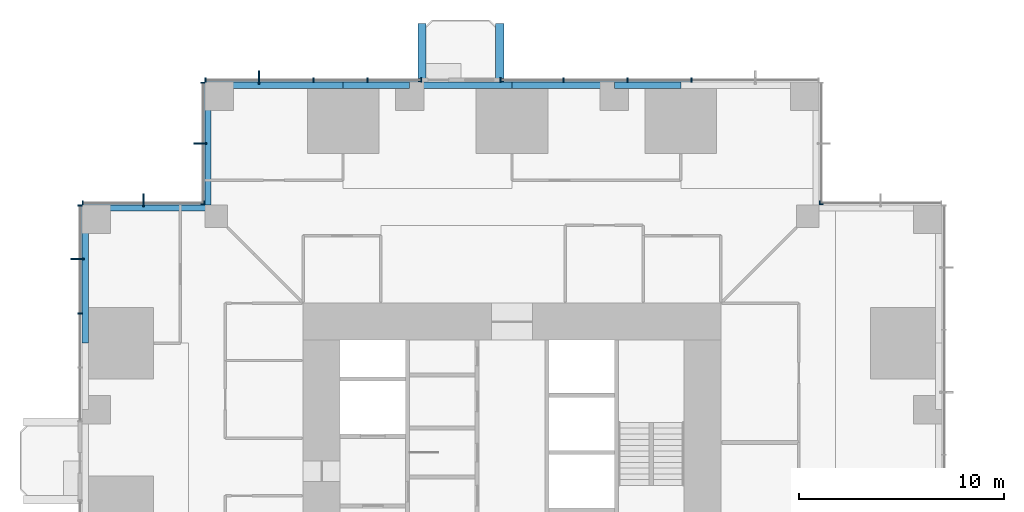
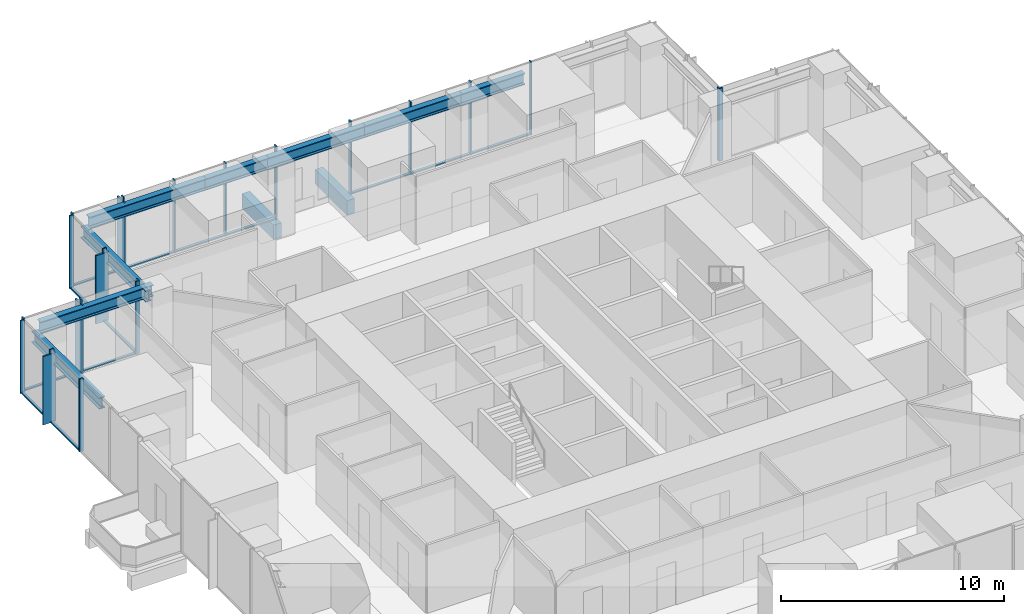
# One storey, part 5 of 15: 37 members, 10 beams, 7 elements without a shape of their own.
"""IFC4 building model written with IfcOpenShell, lengths in metres."""

from ifc_helpers import new_model, si_unit, direction, frame, origin, origin_2d, place, context, subcontext, project, spatial, rectangle, i_section, extrude, material, material_profile, profile_set, type_object, element, aggregate, save


model = new_model("IFC4")

# Units and contexts
model_context = context("Model", 3, precision=1e-05, world=origin(), true_north=direction((0.0, 1.0)))
body_context = subcontext(model_context, "Body", "Model", "MODEL_VIEW")
ifc_project = project(units=[si_unit("LENGTHUNIT", "METRE"), si_unit("AREAUNIT", "SQUARE_METRE"), si_unit("VOLUMEUNIT", "CUBIC_METRE"), si_unit("PLANEANGLEUNIT", "RADIAN"), si_unit("MASSUNIT", "GRAM", prefix="KILO")], contexts=[model_context])

# Site, building, storey
site_placement = place(None, origin())
site = spatial("IfcSite", under=ifc_project, at=site_placement, CompositionType="ELEMENT")
building_placement = place(site_placement, origin())
building = spatial("IfcBuilding", under=site, at=building_placement, Name="Svetlomir Tower", CompositionType="ELEMENT")
storey_placement = place(building_placement, frame((0.0, 0.0, 74.5)))
storey = spatial("IfcBuildingStorey", under=building, at=storey_placement, Name="L17", CompositionType="ELEMENT", Elevation=74.5)

# Beams
ifc_material_1 = material(Name="Concrete C60/75", Category="concrete")
ifc_material_profile_1 = material_profile(ifc_material_1, rectangle(XDim=0.39990234375, YDim=0.800048828125, at=origin_2d()), Name="RC 400x800")
ifc_profile_set_1 = profile_set([ifc_material_profile_1], Name="Concrete C60/75")
beam_type_1 = type_object("IfcBeamType", Name="BALCONY RIB RC 400x800", PredefinedType="BEAM", material=ifc_profile_set_1)
for number, where, z_axis, x_axis, name in (
    (1, (16.60009765625, 42.0, -0.64990234375), (0.0, 1.0, 0.0), (-1.0, 0.0, 0.0), "Balcony rib N 1 L17"),
    (2, (20.39990234375, 42.0, -0.64990234375), (0.0, 1.0, 0.0), (-1.0, 0.0, 0.0), "Balcony rib N 2 L17"),
):
    element("IfcBeam", number, at=place(storey_placement, frame(where, z_axis=z_axis, x_axis=x_axis)), inside=storey, type_object=beam_type_1, Name=name, PredefinedType="BEAM", context=body_context, shape_type="SweptSolid", body=[
        extrude(rectangle(XDim=0.39990234375, YDim=0.800048828125, at=origin_2d()), origin(), (0.0, 0.0, 1.0), 2.85009765625),
    ])

# Curtain wall, member
ifc_material_2 = material(Name="Bronze anodised aluminium curtain wall", Category="aluminium")
curtain_wall_type = type_object("IfcCurtainWallType", Name="CURTAIN WALL CW1 TOWER OFFICE", PredefinedType="NOTDEFINED", material=ifc_material_2)
curtain_wall_1_placement = place(storey_placement, origin())
curtain_wall_1 = element("IfcCurtainWall", 3, at=curtain_wall_1_placement, inside=storey, type_object=curtain_wall_type, Name="Curtain wall CW1 L17", PredefinedType="NOTDEFINED")
ifc_material_3 = material(Name="Bronze anodised aluminium", Category="aluminium")
ifc_material_profile_2 = material_profile(ifc_material_3, rectangle(XDim=0.080078125, YDim=0.64990234375, at=origin_2d()), Name="FIN 80x650")
ifc_profile_set_2 = profile_set([ifc_material_profile_2], Name="Bronze anodised aluminium 6063-T6")
member_type_1 = type_object("IfcMemberType", Name="BRONZE FIN 80x650", PredefinedType="USERDEFINED", material=ifc_profile_set_2)
member_1_placement = place(storey_placement, frame((8.64990234375, 42.22509765625, 0.0), z_axis=(0.0, 0.0, 1.0), x_axis=(1.0, 0.0, 0.0)))
member_1 = element("IfcMember", 4, at=member_1_placement, type_object=member_type_1, Name="Bronze fin L17", ObjectType="FIN", PredefinedType="USERDEFINED", context=body_context, shape_type="SweptSolid", body=[
    extrude(rectangle(XDim=0.080078125, YDim=0.64990234375, at=origin_2d()), origin(), (0.0, 0.0, 1.0), 3.75),
])

curtain_wall_2_placement = place(storey_placement, origin())
curtain_wall_2 = element("IfcCurtainWall", 5, at=curtain_wall_2_placement, inside=storey, type_object=curtain_wall_type, Name="Curtain wall CW1 L17", PredefinedType="NOTDEFINED")
member_2_placement = place(storey_placement, frame((5.77490234375, 39.0, 0.0), z_axis=(0.0, 0.0, 1.0), x_axis=(0.0, 1.0, 0.0)))
member_2 = element("IfcMember", 6, at=member_2_placement, type_object=member_type_1, Name="Bronze fin L17", ObjectType="FIN", PredefinedType="USERDEFINED", context=body_context, shape_type="SweptSolid", body=[
    extrude(rectangle(XDim=0.080078125, YDim=0.64990234375, at=origin_2d()), origin(), (0.0, 0.0, 1.0), 3.75),
])

curtain_wall_3_placement = place(storey_placement, origin())
curtain_wall_3 = element("IfcCurtainWall", 7, at=curtain_wall_3_placement, inside=storey, type_object=curtain_wall_type, Name="Curtain wall CW1 L17", PredefinedType="NOTDEFINED")
member_3_placement = place(storey_placement, frame((3.0, 36.22509765625, 0.0), z_axis=(0.0, 0.0, 1.0), x_axis=(1.0, 0.0, 0.0)))
member_3 = element("IfcMember", 8, at=member_3_placement, type_object=member_type_1, Name="Bronze fin L17", ObjectType="FIN", PredefinedType="USERDEFINED", context=body_context, shape_type="SweptSolid", body=[
    extrude(rectangle(XDim=0.080078125, YDim=0.64990234375, at=origin_2d()), origin(), (0.0, 0.0, 1.0), 3.75),
])

curtain_wall_4_placement = place(storey_placement, origin())
curtain_wall_4 = element("IfcCurtainWall", 9, at=curtain_wall_4_placement, inside=storey, type_object=curtain_wall_type, Name="Curtain wall CW1 L17", PredefinedType="NOTDEFINED")
member_4_placement = place(storey_placement, frame((-0.22509765625, 33.35009765625, 0.0), z_axis=(0.0, 0.0, 1.0), x_axis=(0.0, 1.0, 0.0)))
member_4 = element("IfcMember", 10, at=member_4_placement, type_object=member_type_1, Name="Bronze fin L17", ObjectType="FIN", PredefinedType="USERDEFINED", context=body_context, shape_type="SweptSolid", body=[
    extrude(rectangle(XDim=0.080078125, YDim=0.64990234375, at=origin_2d()), origin(), (0.0, 0.0, 1.0), 3.75),
])

curtain_wall_5_placement = place(storey_placement, origin())
curtain_wall_5 = element("IfcCurtainWall", 11, at=curtain_wall_5_placement, inside=storey, type_object=curtain_wall_type, Name="Curtain wall CW1 L17", PredefinedType="NOTDEFINED")
ifc_material_4 = material(Name="Bronze anodised aluminium", Category="aluminium")
ifc_material_profile_3 = material_profile(ifc_material_4, rectangle(XDim=0.06494140625, YDim=0.199951171875, at=origin_2d()), Name="AL 65x200")
ifc_profile_set_3 = profile_set([ifc_material_profile_3], Name="Bronze anodised aluminium 6063-T6")
member_type_2 = type_object("IfcMemberType", Name="CW1 MULLION 65x200", PredefinedType="MULLION", material=ifc_profile_set_3)
member_5_placement = place(storey_placement, frame((36.032470703125, 36.10009765625, 0.0), z_axis=(0.0, 0.0, 1.0), x_axis=(-1.0, 0.0, 0.0)))
member_5 = element("IfcMember", 12, at=member_5_placement, type_object=member_type_2, Name="CW1 mullion 3", PredefinedType="MULLION", context=body_context, shape_type="SweptSolid", body=[
    extrude(rectangle(XDim=0.06494140625, YDim=0.199951171875, at=origin_2d()), origin(), (0.0, 0.0, 1.0), 4.0),
])
aggregate(curtain_wall_5, [member_5])

curtain_wall_6_placement = place(storey_placement, origin())
curtain_wall_6 = element("IfcCurtainWall", 13, at=curtain_wall_6_placement, inside=storey, type_object=curtain_wall_type, Name="Curtain wall CW1 L17", PredefinedType="NOTDEFINED")
member_6_placement = place(storey_placement, frame((36.10009765625, 36.032470703125, 0.0), z_axis=(0.0, 0.0, 1.0), x_axis=(0.0, 1.0, 0.0)))
member_6 = element("IfcMember", 14, at=member_6_placement, type_object=member_type_2, Name="CW1 mullion 1", PredefinedType="MULLION", context=body_context, shape_type="SweptSolid", body=[
    extrude(rectangle(XDim=0.06494140625, YDim=0.199951171875, at=origin_2d()), origin(), (0.0, 0.0, 1.0), 4.0),
])
aggregate(curtain_wall_6, [member_6])

# Curtain wall, members
curtain_wall_7_placement = place(storey_placement, origin())
curtain_wall_7 = element("IfcCurtainWall", 15, at=curtain_wall_7_placement, inside=storey, type_object=curtain_wall_type, Name="Curtain wall CW1 L17", PredefinedType="NOTDEFINED")
member_7_placement = place(storey_placement, frame((29.760009765625, 42.10009765625, 0.0), z_axis=(0.0, 0.0, 1.0), x_axis=(-1.0, 0.0, 0.0)))
member_7 = element("IfcMember", 16, at=member_7_placement, type_object=member_type_2, Name="CW1 mullion 3", PredefinedType="MULLION", context=body_context, shape_type="SweptSolid", body=[
    extrude(rectangle(XDim=0.06494140625, YDim=0.199951171875, at=origin_2d()), origin(), (0.0, 0.0, 1.0), 4.0),
])
member_8_placement = place(storey_placement, frame((26.639892578125, 42.10009765625, 0.0), z_axis=(0.0, 0.0, 1.0), x_axis=(-1.0, 0.0, 0.0)))
member_8 = element("IfcMember", 17, at=member_8_placement, type_object=member_type_2, Name="CW1 mullion 4", PredefinedType="MULLION", context=body_context, shape_type="SweptSolid", body=[
    extrude(rectangle(XDim=0.06494140625, YDim=0.199951171875, at=origin_2d()), origin(), (0.0, 0.0, 1.0), 4.0),
])
member_9_placement = place(storey_placement, frame((23.52001953125, 42.10009765625, 0.0), z_axis=(0.0, 0.0, 1.0), x_axis=(-1.0, 0.0, 0.0)))
member_9 = element("IfcMember", 18, at=member_9_placement, type_object=member_type_2, Name="CW1 mullion 5", PredefinedType="MULLION", context=body_context, shape_type="SweptSolid", body=[
    extrude(rectangle(XDim=0.06494140625, YDim=0.199951171875, at=origin_2d()), origin(), (0.0, 0.0, 1.0), 4.0),
])
member_10_placement = place(storey_placement, frame((20.4326171875, 42.10009765625, 0.0), z_axis=(0.0, 0.0, 1.0), x_axis=(-1.0, 0.0, 0.0)))
member_10 = element("IfcMember", 19, at=member_10_placement, type_object=member_type_2, Name="CW1 mullion 6", PredefinedType="MULLION", context=body_context, shape_type="SweptSolid", body=[
    extrude(rectangle(XDim=0.06494140625, YDim=0.199951171875, at=origin_2d()), origin(), (0.0, 0.0, 1.0), 4.0),
])

# Member
member_11_placement = place(storey_placement, frame((16.5673828125, 42.10009765625, 0.0), z_axis=(0.0, 0.0, 1.0), x_axis=(-1.0, 0.0, 0.0)))
member_11 = element("IfcMember", 20, at=member_11_placement, type_object=member_type_2, Name="CW1 mullion 1", PredefinedType="MULLION", context=body_context, shape_type="SweptSolid", body=[
    extrude(rectangle(XDim=0.06494140625, YDim=0.199951171875, at=origin_2d()), origin(), (0.0, 0.0, 1.0), 4.0),
])

member_12_placement = place(storey_placement, frame((13.949951171875, 42.10009765625, 0.0), z_axis=(0.0, 0.0, 1.0), x_axis=(-1.0, 0.0, 0.0)))
member_12 = element("IfcMember", 21, at=member_12_placement, type_object=member_type_2, Name="CW1 mullion 2", PredefinedType="MULLION", context=body_context, shape_type="SweptSolid", body=[
    extrude(rectangle(XDim=0.06494140625, YDim=0.199951171875, at=origin_2d()), origin(), (0.0, 0.0, 1.0), 4.0),
])

member_13_placement = place(storey_placement, frame((11.300048828125, 42.10009765625, 0.0), z_axis=(0.0, 0.0, 1.0), x_axis=(-1.0, 0.0, 0.0)))
member_13 = element("IfcMember", 22, at=member_13_placement, type_object=member_type_2, Name="CW1 mullion 3", PredefinedType="MULLION", context=body_context, shape_type="SweptSolid", body=[
    extrude(rectangle(XDim=0.06494140625, YDim=0.199951171875, at=origin_2d()), origin(), (0.0, 0.0, 1.0), 4.0),
])

member_14_placement = place(storey_placement, frame((8.64990234375, 42.10009765625, 0.0), z_axis=(0.0, 0.0, 1.0), x_axis=(-1.0, 0.0, 0.0)))
member_14 = element("IfcMember", 23, at=member_14_placement, type_object=member_type_2, Name="CW1 mullion 4", PredefinedType="MULLION", context=body_context, shape_type="SweptSolid", body=[
    extrude(rectangle(XDim=0.06494140625, YDim=0.199951171875, at=origin_2d()), origin(), (0.0, 0.0, 1.0), 4.0),
])

member_15_placement = place(storey_placement, frame((6.032470703125, 42.10009765625, 0.0), z_axis=(0.0, 0.0, 1.0), x_axis=(-1.0, 0.0, 0.0)))
member_15 = element("IfcMember", 24, at=member_15_placement, type_object=member_type_2, Name="CW1 mullion 5", PredefinedType="MULLION", context=body_context, shape_type="SweptSolid", body=[
    extrude(rectangle(XDim=0.06494140625, YDim=0.199951171875, at=origin_2d()), origin(), (0.0, 0.0, 1.0), 4.0),
])

member_16_placement = place(storey_placement, frame((5.89990234375, 41.967529296875, 0.0), z_axis=(0.0, 0.0, 1.0), x_axis=(0.0, -1.0, 0.0)))
member_16 = element("IfcMember", 25, at=member_16_placement, type_object=member_type_2, Name="CW1 mullion 1", PredefinedType="MULLION", context=body_context, shape_type="SweptSolid", body=[
    extrude(rectangle(XDim=0.06494140625, YDim=0.199951171875, at=origin_2d()), origin(), (0.0, 0.0, 1.0), 4.0),
])

member_17_placement = place(storey_placement, frame((5.89990234375, 39.0, 0.0), z_axis=(0.0, 0.0, 1.0), x_axis=(0.0, -1.0, 0.0)))
member_17 = element("IfcMember", 26, at=member_17_placement, type_object=member_type_2, Name="CW1 mullion 2", PredefinedType="MULLION", context=body_context, shape_type="SweptSolid", body=[
    extrude(rectangle(XDim=0.06494140625, YDim=0.199951171875, at=origin_2d()), origin(), (0.0, 0.0, 1.0), 4.0),
])

member_18_placement = place(storey_placement, frame((5.89990234375, 36.032470703125, 0.0), z_axis=(0.0, 0.0, 1.0), x_axis=(0.0, -1.0, 0.0)))
member_18 = element("IfcMember", 27, at=member_18_placement, type_object=member_type_2, Name="CW1 mullion 3", PredefinedType="MULLION", context=body_context, shape_type="SweptSolid", body=[
    extrude(rectangle(XDim=0.06494140625, YDim=0.199951171875, at=origin_2d()), origin(), (0.0, 0.0, 1.0), 4.0),
])

member_19_placement = place(storey_placement, frame((5.967529296875, 36.10009765625, 0.0), z_axis=(0.0, 0.0, 1.0), x_axis=(-1.0, 0.0, 0.0)))
member_19 = element("IfcMember", 28, at=member_19_placement, type_object=member_type_2, Name="CW1 mullion 1", PredefinedType="MULLION", context=body_context, shape_type="SweptSolid", body=[
    extrude(rectangle(XDim=0.06494140625, YDim=0.199951171875, at=origin_2d()), origin(), (0.0, 0.0, 1.0), 4.0),
])

member_20_placement = place(storey_placement, frame((3.0, 36.10009765625, 0.0), z_axis=(0.0, 0.0, 1.0), x_axis=(-1.0, 0.0, 0.0)))
member_20 = element("IfcMember", 29, at=member_20_placement, type_object=member_type_2, Name="CW1 mullion 2", PredefinedType="MULLION", context=body_context, shape_type="SweptSolid", body=[
    extrude(rectangle(XDim=0.06494140625, YDim=0.199951171875, at=origin_2d()), origin(), (0.0, 0.0, 1.0), 4.0),
])

member_21_placement = place(storey_placement, frame((0.032470703125, 36.10009765625, 0.0), z_axis=(0.0, 0.0, 1.0), x_axis=(-1.0, 0.0, 0.0)))
member_21 = element("IfcMember", 30, at=member_21_placement, type_object=member_type_2, Name="CW1 mullion 3", PredefinedType="MULLION", context=body_context, shape_type="SweptSolid", body=[
    extrude(rectangle(XDim=0.06494140625, YDim=0.199951171875, at=origin_2d()), origin(), (0.0, 0.0, 1.0), 4.0),
])

member_22_placement = place(storey_placement, frame((-0.10009765625, 35.967529296875, 0.0), z_axis=(0.0, 0.0, 1.0), x_axis=(0.0, -1.0, 0.0)))
member_22 = element("IfcMember", 31, at=member_22_placement, type_object=member_type_2, Name="CW1 mullion 1", PredefinedType="MULLION", context=body_context, shape_type="SweptSolid", body=[
    extrude(rectangle(XDim=0.06494140625, YDim=0.199951171875, at=origin_2d()), origin(), (0.0, 0.0, 1.0), 4.0),
])

member_23_placement = place(storey_placement, frame((-0.10009765625, 33.35009765625, 0.0), z_axis=(0.0, 0.0, 1.0), x_axis=(0.0, -1.0, 0.0)))
member_23 = element("IfcMember", 32, at=member_23_placement, type_object=member_type_2, Name="CW1 mullion 2", PredefinedType="MULLION", context=body_context, shape_type="SweptSolid", body=[
    extrude(rectangle(XDim=0.06494140625, YDim=0.199951171875, at=origin_2d()), origin(), (0.0, 0.0, 1.0), 4.0),
])

member_24_placement = place(storey_placement, frame((-0.10009765625, 30.699951171875, 0.0), z_axis=(0.0, 0.0, 1.0), x_axis=(0.0, -1.0, 0.0)))
member_24 = element("IfcMember", 33, at=member_24_placement, type_object=member_type_2, Name="CW1 mullion 3", PredefinedType="MULLION", context=body_context, shape_type="SweptSolid", body=[
    extrude(rectangle(XDim=0.06494140625, YDim=0.199951171875, at=origin_2d()), origin(), (0.0, 0.0, 1.0), 4.0),
])

ifc_material_5 = material(Name="Bronze anodised aluminium", Category="aluminium")
ifc_material_profile_4 = material_profile(ifc_material_5, rectangle(XDim=0.139892578125, YDim=0.06494140625, at=origin_2d()), Name="AL 140x65")
ifc_profile_set_4 = profile_set([ifc_material_profile_4], Name="Bronze anodised aluminium 6063-T6")
member_type_3 = type_object("IfcMemberType", Name="CW1 TRANSOM 65x140", PredefinedType="USERDEFINED", material=ifc_profile_set_4)
member_25_placement = place(storey_placement, frame((29.7275390625, 42.10009765625, 0.032470703125), z_axis=(-1.0, 0.0, 0.0), x_axis=(0.0, -1.0, 0.0)))
member_25 = element("IfcMember", 34, at=member_25_placement, type_object=member_type_3, Name="CW1 transom 3.1", ObjectType="TRANSOM", PredefinedType="USERDEFINED", context=body_context, shape_type="SweptSolid", body=[
    extrude(rectangle(XDim=0.139892578125, YDim=0.06494140625, at=origin_2d()), origin(), (0.0, 0.0, 1.0), 3.054931640625),
])

member_26_placement = place(storey_placement, frame((26.607421875, 42.10009765625, 0.032470703125), z_axis=(-1.0, 0.0, 0.0), x_axis=(0.0, -1.0, 0.0)))
member_26 = element("IfcMember", 35, at=member_26_placement, type_object=member_type_3, Name="CW1 transom 4.1", ObjectType="TRANSOM", PredefinedType="USERDEFINED", context=body_context, shape_type="SweptSolid", body=[
    extrude(rectangle(XDim=0.139892578125, YDim=0.06494140625, at=origin_2d()), origin(), (0.0, 0.0, 1.0), 3.054931640625),
])

member_27_placement = place(storey_placement, frame((23.487548828125, 42.10009765625, 0.032470703125), z_axis=(-1.0, 0.0, 0.0), x_axis=(0.0, -1.0, 0.0)))
member_27 = element("IfcMember", 36, at=member_27_placement, type_object=member_type_3, Name="CW1 transom 5.1", ObjectType="TRANSOM", PredefinedType="USERDEFINED", context=body_context, shape_type="SweptSolid", body=[
    extrude(rectangle(XDim=0.139892578125, YDim=0.06494140625, at=origin_2d()), origin(), (0.0, 0.0, 1.0), 3.0224609375),
])

aggregate(curtain_wall_7, [member_7, member_8, member_9, member_10, member_25, member_26, member_27])

member_28_placement = place(storey_placement, frame((16.534912109375, 42.10009765625, 0.032470703125), z_axis=(-1.0, 0.0, 0.0), x_axis=(0.0, -1.0, 0.0)))
member_28 = element("IfcMember", 37, at=member_28_placement, type_object=member_type_3, Name="CW1 transom 1.1", ObjectType="TRANSOM", PredefinedType="USERDEFINED", context=body_context, shape_type="SweptSolid", body=[
    extrude(rectangle(XDim=0.139892578125, YDim=0.06494140625, at=origin_2d()), origin(), (0.0, 0.0, 1.0), 2.552490234375),
])

member_29_placement = place(storey_placement, frame((13.91748046875, 42.10009765625, 0.032470703125), z_axis=(-1.0, 0.0, 0.0), x_axis=(0.0, -1.0, 0.0)))
member_29 = element("IfcMember", 38, at=member_29_placement, type_object=member_type_3, Name="CW1 transom 2.1", ObjectType="TRANSOM", PredefinedType="USERDEFINED", context=body_context, shape_type="SweptSolid", body=[
    extrude(rectangle(XDim=0.139892578125, YDim=0.06494140625, at=origin_2d()), origin(), (0.0, 0.0, 1.0), 2.5849609375),
])

member_30_placement = place(storey_placement, frame((11.267578125, 42.10009765625, 0.032470703125), z_axis=(-1.0, 0.0, 0.0), x_axis=(0.0, -1.0, 0.0)))
member_30 = element("IfcMember", 39, at=member_30_placement, type_object=member_type_3, Name="CW1 transom 3.1", ObjectType="TRANSOM", PredefinedType="USERDEFINED", context=body_context, shape_type="SweptSolid", body=[
    extrude(rectangle(XDim=0.139892578125, YDim=0.06494140625, at=origin_2d()), origin(), (0.0, 0.0, 1.0), 2.5849609375),
])

member_31_placement = place(storey_placement, frame((8.617431640625, 42.10009765625, 0.032470703125), z_axis=(-1.0, 0.0, 0.0), x_axis=(0.0, -1.0, 0.0)))
member_31 = element("IfcMember", 40, at=member_31_placement, type_object=member_type_3, Name="CW1 transom 4.1", ObjectType="TRANSOM", PredefinedType="USERDEFINED", context=body_context, shape_type="SweptSolid", body=[
    extrude(rectangle(XDim=0.139892578125, YDim=0.06494140625, at=origin_2d()), origin(), (0.0, 0.0, 1.0), 2.552490234375),
])

aggregate(curtain_wall_1, [member_11, member_12, member_13, member_14, member_15, member_28, member_29, member_30, member_31, member_1])

member_32_placement = place(storey_placement, frame((5.89990234375, 41.93505859375, 0.032470703125), z_axis=(0.0, -1.0, 0.0), x_axis=(1.0, 0.0, 0.0)))
member_32 = element("IfcMember", 41, at=member_32_placement, type_object=member_type_3, Name="CW1 transom 1.1", ObjectType="TRANSOM", PredefinedType="USERDEFINED", context=body_context, shape_type="SweptSolid", body=[
    extrude(rectangle(XDim=0.139892578125, YDim=0.06494140625, at=origin_2d()), origin(), (0.0, 0.0, 1.0), 2.902587890625),
])

member_33_placement = place(storey_placement, frame((5.89990234375, 38.967529296875, 0.032470703125), z_axis=(0.0, -1.0, 0.0), x_axis=(1.0, 0.0, 0.0)))
member_33 = element("IfcMember", 42, at=member_33_placement, type_object=member_type_3, Name="CW1 transom 2.1", ObjectType="TRANSOM", PredefinedType="USERDEFINED", context=body_context, shape_type="SweptSolid", body=[
    extrude(rectangle(XDim=0.139892578125, YDim=0.06494140625, at=origin_2d()), origin(), (0.0, 0.0, 1.0), 2.902587890625),
])

aggregate(curtain_wall_2, [member_16, member_17, member_18, member_32, member_33, member_2])

member_34_placement = place(storey_placement, frame((5.93505859375, 36.10009765625, 0.032470703125), z_axis=(-1.0, 0.0, 0.0), x_axis=(0.0, -1.0, 0.0)))
member_34 = element("IfcMember", 43, at=member_34_placement, type_object=member_type_3, Name="CW1 transom 1.1", ObjectType="TRANSOM", PredefinedType="USERDEFINED", context=body_context, shape_type="SweptSolid", body=[
    extrude(rectangle(XDim=0.139892578125, YDim=0.06494140625, at=origin_2d()), origin(), (0.0, 0.0, 1.0), 2.902587890625),
])

member_35_placement = place(storey_placement, frame((2.967529296875, 36.10009765625, 0.032470703125), z_axis=(-1.0, 0.0, 0.0), x_axis=(0.0, -1.0, 0.0)))
member_35 = element("IfcMember", 44, at=member_35_placement, type_object=member_type_3, Name="CW1 transom 2.1", ObjectType="TRANSOM", PredefinedType="USERDEFINED", context=body_context, shape_type="SweptSolid", body=[
    extrude(rectangle(XDim=0.139892578125, YDim=0.06494140625, at=origin_2d()), origin(), (0.0, 0.0, 1.0), 2.902587890625),
])

aggregate(curtain_wall_3, [member_19, member_20, member_21, member_34, member_35, member_3])

member_36_placement = place(storey_placement, frame((-0.10009765625, 35.93505859375, 0.032470703125), z_axis=(0.0, -1.0, 0.0), x_axis=(1.0, 0.0, 0.0)))
member_36 = element("IfcMember", 45, at=member_36_placement, type_object=member_type_3, Name="CW1 transom 1.1", ObjectType="TRANSOM", PredefinedType="USERDEFINED", context=body_context, shape_type="SweptSolid", body=[
    extrude(rectangle(XDim=0.139892578125, YDim=0.06494140625, at=origin_2d()), origin(), (0.0, 0.0, 1.0), 2.552490234375),
])

member_37_placement = place(storey_placement, frame((-0.10009765625, 33.3173828125, 0.032470703125), z_axis=(0.0, -1.0, 0.0), x_axis=(1.0, 0.0, 0.0)))
member_37 = element("IfcMember", 46, at=member_37_placement, type_object=member_type_3, Name="CW1 transom 2.1", ObjectType="TRANSOM", PredefinedType="USERDEFINED", context=body_context, shape_type="SweptSolid", body=[
    extrude(rectangle(XDim=0.139892578125, YDim=0.06494140625, at=origin_2d()), origin(), (0.0, 0.0, 1.0), 2.5849609375),
])

aggregate(curtain_wall_4, [member_22, member_23, member_24, member_36, member_37, member_4])

# Beams
ifc_material_6 = material(Name="Steel S355", Category="steel")
ifc_material_profile_5 = material_profile(ifc_material_6, i_section(OverallWidth=0.304931640625, OverallDepth=0.6201171875, WebThickness=0.02099609375, FlangeThickness=0.0400390625, FilletRadius=0.027099609375, at=origin_2d()), Name="HEM 600")
ifc_profile_set_5 = profile_set([ifc_material_profile_5], Name="Steel S355")
beam_type_2 = type_object("IfcBeamType", Name="EDGE BEAM HEM 600", PredefinedType="SPANDREL", material=ifc_profile_set_5)
beam_1_placement = place(storey_placement, frame((6.699951171875, 41.847412109375, 3.43994140625), z_axis=(1.0, 0.0, 0.0), x_axis=(0.0, 1.0, 0.0)))
element("IfcBeam", 47, at=beam_1_placement, inside=storey, type_object=beam_type_2, Name="Edge beam 6/42 to 11/42 under L18", PredefinedType="SPANDREL", context=body_context, shape_type="SweptSolid", body=[
    extrude(i_section(OverallWidth=0.304931640625, OverallDepth=0.6201171875, WebThickness=0.02099609375, FlangeThickness=0.0400390625, FilletRadius=0.027099609375, at=origin_2d()), origin(), (0.0, 0.0, 1.0), 6.050048828125),
])
beam_2_placement = place(storey_placement, frame((12.75, 41.847412109375, 3.43994140625), z_axis=(1.0, 0.0, 0.0), x_axis=(0.0, 1.0, 0.0)))
element("IfcBeam", 48, at=beam_2_placement, inside=storey, type_object=beam_type_2, Name="Edge beam 11/42 to 16/42 under L18", PredefinedType="SPANDREL", context=body_context, shape_type="SweptSolid", body=[
    extrude(i_section(OverallWidth=0.304931640625, OverallDepth=0.6201171875, WebThickness=0.02099609375, FlangeThickness=0.0400390625, FilletRadius=0.027099609375, at=origin_2d()), origin(), (0.0, 0.0, 1.0), 3.25),
])
for number, where, z_axis, x_axis, name in (
    (49, (16.0, 41.847412109375, 3.43994140625), (1.0, 0.0, 0.0), (0.0, 1.0, 0.0), "Edge beam 16/42 to 21/42 under L18"),
    (50, (21.0, 41.847412109375, 3.43994140625), (1.0, 0.0, 0.0), (0.0, 1.0, 0.0), "Edge beam 21/42 to 26/42 under L18"),
):
    element("IfcBeam", number, at=place(storey_placement, frame(where, z_axis=z_axis, x_axis=x_axis)), inside=storey, type_object=beam_type_2, Name=name, PredefinedType="SPANDREL", context=body_context, shape_type="SweptSolid", body=[
        extrude(i_section(OverallWidth=0.304931640625, OverallDepth=0.6201171875, WebThickness=0.02099609375, FlangeThickness=0.0400390625, FilletRadius=0.027099609375, at=origin_2d()), origin(), (0.0, 0.0, 1.0), 5.0),
    ])
beam_3_placement = place(storey_placement, frame((26.0, 41.847412109375, 3.43994140625), z_axis=(1.0, 0.0, 0.0), x_axis=(0.0, 1.0, 0.0)))
element("IfcBeam", 51, at=beam_3_placement, inside=storey, type_object=beam_type_2, Name="Edge beam 26/42 to 31/42 under L18", PredefinedType="SPANDREL", context=body_context, shape_type="SweptSolid", body=[
    extrude(i_section(OverallWidth=0.304931640625, OverallDepth=0.6201171875, WebThickness=0.02099609375, FlangeThickness=0.0400390625, FilletRadius=0.027099609375, at=origin_2d()), origin(), (0.0, 0.0, 1.0), 3.25),
])
beam_4_placement = place(storey_placement, frame((0.152587890625, 29.25, 3.43994140625), z_axis=(0.0, 1.0, 0.0), x_axis=(-1.0, 0.0, 0.0)))
element("IfcBeam", 52, at=beam_4_placement, inside=storey, type_object=beam_type_2, Name="Edge beam 0/31 to 0/36 under L18", PredefinedType="SPANDREL", context=body_context, shape_type="SweptSolid", body=[
    extrude(i_section(OverallWidth=0.304931640625, OverallDepth=0.6201171875, WebThickness=0.02099609375, FlangeThickness=0.0400390625, FilletRadius=0.027099609375, at=origin_2d()), origin(), (0.0, 0.0, 1.0), 6.050048828125),
])
for number, where, z_axis, x_axis, name in (
    (53, (6.152587890625, 41.300048828125, 3.43994140625), (0.0, -1.0, 0.0), (1.0, 0.0, 0.0), "Edge beam 6/42 to 6/36 under L18"),
    (54, (0.699951171875, 35.847412109375, 3.43994140625), (1.0, 0.0, 0.0), (0.0, 1.0, 0.0), "Edge beam 0/36 to 6/36 under L18"),
):
    element("IfcBeam", number, at=place(storey_placement, frame(where, z_axis=z_axis, x_axis=x_axis)), inside=storey, type_object=beam_type_2, Name=name, PredefinedType="SPANDREL", context=body_context, shape_type="SweptSolid", body=[
        extrude(i_section(OverallWidth=0.304931640625, OverallDepth=0.6201171875, WebThickness=0.02099609375, FlangeThickness=0.0400390625, FilletRadius=0.027099609375, at=origin_2d()), origin(), (0.0, 0.0, 1.0), 5.85009765625),
    ])

save(model, "model.ifc")
